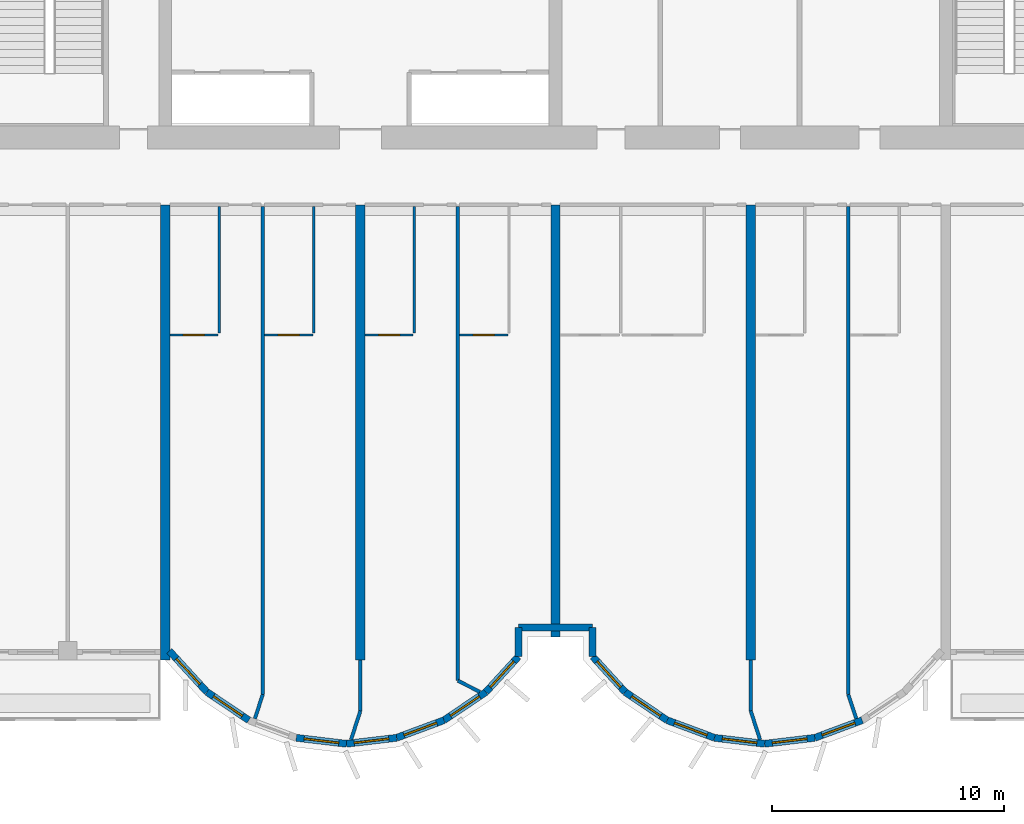
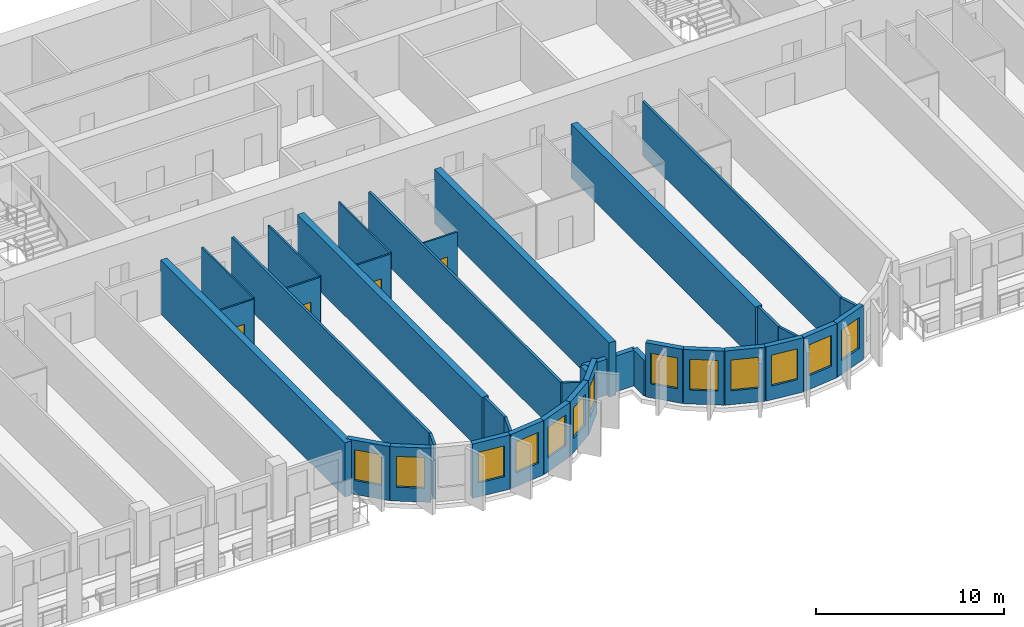
# One storey, part 4 of 15: 37 walls, 13 windows, 4 doors, 17 openings.
"""IFC4 building model written with IfcOpenShell, lengths in metres."""

from ifc_helpers import new_model, si_unit, direction, frame, frame_2d, origin, place, context, subcontext, project, spatial, rectangle, extrude, source, transform, mapped, material, layer, layer_set, type_object, element, fill, save


model = new_model("IFC4")

# Units and contexts
model_context = context("Model", 3, precision=1e-05, world=origin(), true_north=direction((0.0, 1.0)))
body_context = subcontext(model_context, "Body", "Model", "MODEL_VIEW")
ifc_project = project(units=[si_unit("LENGTHUNIT", "METRE"), si_unit("AREAUNIT", "SQUARE_METRE"), si_unit("VOLUMEUNIT", "CUBIC_METRE"), si_unit("PLANEANGLEUNIT", "RADIAN"), si_unit("MASSUNIT", "GRAM", prefix="KILO")], contexts=[model_context])

# Site, building, storey
site_placement = place(None, origin())
site = spatial("IfcSite", under=ifc_project, at=site_placement, CompositionType="ELEMENT")
building_placement = place(site_placement, origin())
building = spatial("IfcBuilding", under=site, at=building_placement, Name="Vanashikhar Sky Hotel", CompositionType="ELEMENT")
storey_placement = place(building_placement, frame((0.0, 0.0, 77.199951171875)))
storey = spatial("IfcBuildingStorey", under=building, at=storey_placement, Name="L18", CompositionType="ELEMENT", Elevation=77.199951171875)

# Walls
ifc_material_1 = material(Name="Concrete M80", Category="concrete")
ifc_layer_1 = layer(ifc_material_1, 0.39990234375)
ifc_layer_set_1 = layer_set([ifc_layer_1], Name="RC shear wall 400 Concrete M80")
wall_type_1 = type_object("IfcWallType", Name="RC shear wall 400 Concrete M80", PredefinedType="SHEAR", material=ifc_layer_set_1)
shared_shape_1 = source(origin(), body_context, "Body", "SweptSolid", [
    extrude(rectangle(XDim=19.60009765625, YDim=0.39990234375, at=frame_2d((9.800048828125, 0.0))), origin(), (0.0, 0.0, 1.0), 3.52001953125),
])
for number, where, z_axis, x_axis, name in (
    (1, (33.60009765625, 0.0, 0.0), (0.0, 0.0, 1.0), (0.0, 1.0, 0.0), "CW-L18-XW05-1"),
    (2, (42.0, 0.0, 0.0), (0.0, 0.0, 1.0), (0.0, 1.0, 0.0), "CW-L18-XW06-1"),
    (3, (58.800048828125, 0.0, 0.0), (0.0, 0.0, 1.0), (0.0, 1.0, 0.0), "CW-L18-XW08-1"),
):
    element("IfcWall", number, at=place(storey_placement, frame(where, z_axis=z_axis, x_axis=x_axis)), inside=storey, type_object=wall_type_1, Name=name, PredefinedType="SHEAR", context=body_context, shape_type="MappedRepresentation", body=[
        mapped(shared_shape_1, transform((0.0, 0.0, 0.0), scale=1.0)),
    ])
shared_shape_2 = source(origin(), body_context, "Body", "SweptSolid", [
    extrude(rectangle(XDim=18.60009765625, YDim=0.39990234375, at=frame_2d((9.300048828125, 0.0))), origin(), (0.0, 0.0, 1.0), 3.52001953125),
])
wall_1_placement = place(storey_placement, frame((50.39990234375, 1.0, 0.0), z_axis=(0.0, 0.0, 1.0), x_axis=(0.0, 1.0, 0.0)))
element("IfcWall", 4, at=wall_1_placement, inside=storey, type_object=wall_type_1, Name="CW-L18-XW07-1", PredefinedType="SHEAR", context=body_context, shape_type="MappedRepresentation", body=[
    mapped(shared_shape_2, transform((0.0, 0.0, 0.0), scale=1.0)),
])

# Wall, opening, window
ifc_material_2 = material(Name="Concrete M50", Category="concrete")
ifc_layer_2 = layer(ifc_material_2, 0.300048828125)
ifc_layer_set_2 = layer_set([ifc_layer_2], Name="Lobe wall 300")
wall_type_2 = type_object("IfcWallType", Name="Lobe wall 300", PredefinedType="SOLIDWALL", material=ifc_layer_set_2)
shared_shape_3 = source(origin(), body_context, "Body", "SweptSolid", [
    extrude(rectangle(XDim=2.398193359375, YDim=0.300048828125, at=frame_2d((1.19921875, 0.0))), origin(), (0.0, 0.0, 1.0), 3.52001953125),
])
wall_2_placement = place(storey_placement, frame((33.776123046875, 0.39990234375, 0.0), z_axis=(0.0, 0.0, 1.0), x_axis=(0.675374189419, -0.737475222815, 0.0)))
wall_2 = element("IfcWall", 5, at=wall_2_placement, inside=storey, type_object=wall_type_2, Name="Lobe wall", PredefinedType="SOLIDWALL", context=body_context, shape_type="MappedRepresentation", body=[
    mapped(shared_shape_3, transform((0.0, 0.0, 0.0), scale=1.0)),
])
shared_shape_4 = source(origin(), body_context, "Body", "SweptSolid", [
    extrude(rectangle(XDim=1.5, YDim=2.0, at=frame_2d((0.75, 1.0))), frame((0.0, 0.16015625, 0.0), z_axis=(0.0, -1.0, 0.0), x_axis=(1.0, 0.0, 0.0)), (0.0, 0.0, 1.0), 0.320068359375),
])
opening_1_placement = place(wall_2_placement, frame((0.44921875, 0.0, 0.89990234375)))
opening_1 = element("IfcOpeningElement", 6, at=opening_1_placement, cuts=wall_2, Name="Opening WN-2", PredefinedType="OPENING", context=body_context, shape_type="MappedRepresentation", body=[
    mapped(shared_shape_4, transform((0.0, 0.0, 0.0), scale=1.0)),
])
ifc_material_3 = material(Name="Glass", Category="glass")
window_type = type_object("IfcWindowType", Name="Lobe window 1500 x 2000", PartitioningType="SINGLE_PANEL", PredefinedType="WINDOW", material=ifc_material_3)
shared_shape_5 = source(origin(), body_context, "Body", "SweptSolid", [
    extrude(rectangle(XDim=1.5, YDim=2.0, at=frame_2d((0.75, 1.0))), frame((0.0, 0.030029296875, 0.0), z_axis=(0.0, -1.0, 0.0), x_axis=(1.0, 0.0, 0.0)), (0.0, 0.0, 1.0), 0.06005859375),
])
window_1_placement = place(opening_1_placement, origin())
window_1 = element("IfcWindow", 7, at=window_1_placement, inside=storey, type_object=window_type, Name="Window WN-2", OverallHeight=2.0, OverallWidth=1.5, PartitioningType="SINGLE_PANEL", PredefinedType="WINDOW", context=body_context, shape_type="MappedRepresentation", body=[
    mapped(shared_shape_5, transform((0.0, 0.0, 0.0), scale=1.0)),
])
fill(opening_1, window_1)

shared_shape_6 = source(origin(), body_context, "Body", "SweptSolid", [
    extrude(rectangle(XDim=2.17578125, YDim=0.300048828125, at=frame_2d((1.087890625, 0.0))), origin(), (0.0, 0.0, 1.0), 3.52001953125),
])
wall_3_placement = place(storey_placement, frame((35.395751953125, -1.36865234375, 0.0), z_axis=(0.0, 0.0, 1.0), x_axis=(0.829590746428, -0.558371913192, 0.0)))
wall_3 = element("IfcWall", 8, at=wall_3_placement, inside=storey, type_object=wall_type_2, Name="Lobe wall", PredefinedType="SOLIDWALL", context=body_context, shape_type="MappedRepresentation", body=[
    mapped(shared_shape_6, transform((0.0, 0.0, 0.0), scale=1.0)),
])
opening_2_placement = place(wall_3_placement, frame((0.337890625, 0.0, 0.89990234375)))
opening_2 = element("IfcOpeningElement", 9, at=opening_2_placement, cuts=wall_3, Name="Opening WN-2", PredefinedType="OPENING", context=body_context, shape_type="MappedRepresentation", body=[
    mapped(shared_shape_4, transform((0.0, 0.0, 0.0), scale=1.0)),
])
window_2_placement = place(opening_2_placement, origin())
window_2 = element("IfcWindow", 10, at=window_2_placement, inside=storey, type_object=window_type, Name="Window WN-2", OverallHeight=2.0, OverallWidth=1.5, PartitioningType="SINGLE_PANEL", PredefinedType="WINDOW", context=body_context, shape_type="MappedRepresentation", body=[
    mapped(shared_shape_5, transform((0.0, 0.0, 0.0), scale=1.0)),
])
fill(opening_2, window_2)

wall_4_placement = place(storey_placement, frame((45.59912109375, -2.58349609375, 0.0), z_axis=(0.0, 0.0, 1.0), x_axis=(0.829625727223, 0.558319937607, 0.0)))
wall_4 = element("IfcWall", 11, at=wall_4_placement, inside=storey, type_object=wall_type_2, Name="Lobe wall", PredefinedType="SOLIDWALL", context=body_context, shape_type="MappedRepresentation", body=[
    mapped(shared_shape_6, transform((0.0, 0.0, 0.0), scale=1.0)),
])
opening_3_placement = place(wall_4_placement, frame((0.337890625, 0.0, 0.89990234375)))
opening_3 = element("IfcOpeningElement", 12, at=opening_3_placement, cuts=wall_4, Name="Opening WN-2", PredefinedType="OPENING", context=body_context, shape_type="MappedRepresentation", body=[
    mapped(shared_shape_4, transform((0.0, 0.0, 0.0), scale=1.0)),
])
window_3_placement = place(opening_3_placement, origin())
window_3 = element("IfcWindow", 13, at=window_3_placement, inside=storey, type_object=window_type, Name="Window WN-2", OverallHeight=2.0, OverallWidth=1.5, PartitioningType="SINGLE_PANEL", PredefinedType="WINDOW", context=body_context, shape_type="MappedRepresentation", body=[
    mapped(shared_shape_5, transform((0.0, 0.0, 0.0), scale=1.0)),
])
fill(opening_3, window_3)

wall_5_placement = place(storey_placement, frame((53.395751953125, -1.36865234375, 0.0), z_axis=(0.0, 0.0, 1.0), x_axis=(0.829590746428, -0.558371913192, 0.0)))
wall_5 = element("IfcWall", 14, at=wall_5_placement, inside=storey, type_object=wall_type_2, Name="Lobe wall", PredefinedType="SOLIDWALL", context=body_context, shape_type="MappedRepresentation", body=[
    mapped(shared_shape_6, transform((0.0, 0.0, 0.0), scale=1.0)),
])
opening_4_placement = place(wall_5_placement, frame((0.337890625, 0.0, 0.89990234375)))
opening_4 = element("IfcOpeningElement", 15, at=opening_4_placement, cuts=wall_5, Name="Opening WN-2", PredefinedType="OPENING", context=body_context, shape_type="MappedRepresentation", body=[
    mapped(shared_shape_4, transform((0.0, 0.0, 0.0), scale=1.0)),
])
window_4_placement = place(opening_4_placement, origin())
window_4 = element("IfcWindow", 16, at=window_4_placement, inside=storey, type_object=window_type, Name="Window WN-2", OverallHeight=2.0, OverallWidth=1.5, PartitioningType="SINGLE_PANEL", PredefinedType="WINDOW", context=body_context, shape_type="MappedRepresentation", body=[
    mapped(shared_shape_5, transform((0.0, 0.0, 0.0), scale=1.0)),
])
fill(opening_4, window_4)

wall_6_placement = place(storey_placement, frame((55.20068359375, -2.58349609375, 0.0), z_axis=(0.0, 0.0, 1.0), x_axis=(0.93754555999, -0.347862505801, 0.0)))
wall_6 = element("IfcWall", 17, at=wall_6_placement, inside=storey, type_object=wall_type_2, Name="Lobe wall", PredefinedType="SOLIDWALL", context=body_context, shape_type="MappedRepresentation", body=[
    mapped(shared_shape_6, transform((0.0, 0.0, 0.0), scale=1.0)),
])
opening_5_placement = place(wall_6_placement, frame((0.337890625, 0.0, 0.89990234375)))
opening_5 = element("IfcOpeningElement", 18, at=opening_5_placement, cuts=wall_6, Name="Opening WN-2", PredefinedType="OPENING", context=body_context, shape_type="MappedRepresentation", body=[
    mapped(shared_shape_4, transform((0.0, 0.0, 0.0), scale=1.0)),
])
window_5_placement = place(opening_5_placement, origin())
window_5 = element("IfcWindow", 19, at=window_5_placement, inside=storey, type_object=window_type, Name="Window WN-2", OverallHeight=2.0, OverallWidth=1.5, PartitioningType="SINGLE_PANEL", PredefinedType="WINDOW", context=body_context, shape_type="MappedRepresentation", body=[
    mapped(shared_shape_5, transform((0.0, 0.0, 0.0), scale=1.0)),
])
fill(opening_5, window_5)

shared_shape_7 = source(origin(), body_context, "Body", "SweptSolid", [
    extrude(rectangle(XDim=2.174560546875, YDim=0.300048828125, at=frame_2d((1.08740234375, 0.0))), origin(), (0.0, 0.0, 1.0), 3.52001953125),
])
wall_7_placement = place(storey_placement, frame((39.240478515625, -3.34033203125, 0.0), z_axis=(0.0, 0.0, 1.0), x_axis=(0.993001132889, -0.118104826659, 0.0)))
wall_7 = element("IfcWall", 20, at=wall_7_placement, inside=storey, type_object=wall_type_2, Name="Lobe wall", PredefinedType="SOLIDWALL", context=body_context, shape_type="MappedRepresentation", body=[
    mapped(shared_shape_7, transform((0.0, 0.0, 0.0), scale=1.0)),
])
opening_6_placement = place(wall_7_placement, frame((0.33740234375, 0.0, 0.89990234375)))
opening_6 = element("IfcOpeningElement", 21, at=opening_6_placement, cuts=wall_7, Name="Opening WN-2", PredefinedType="OPENING", context=body_context, shape_type="MappedRepresentation", body=[
    mapped(shared_shape_4, transform((0.0, 0.0, 0.0), scale=1.0)),
])
window_6_placement = place(opening_6_placement, origin())
window_6 = element("IfcWindow", 22, at=window_6_placement, inside=storey, type_object=window_type, Name="Window WN-2", OverallHeight=2.0, OverallWidth=1.5, PartitioningType="SINGLE_PANEL", PredefinedType="WINDOW", context=body_context, shape_type="MappedRepresentation", body=[
    mapped(shared_shape_5, transform((0.0, 0.0, 0.0), scale=1.0)),
])
fill(opening_6, window_6)

wall_8_placement = place(storey_placement, frame((57.240478515625, -3.34033203125, 0.0), z_axis=(0.0, 0.0, 1.0), x_axis=(0.993001132889, -0.118104826659, 0.0)))
wall_8 = element("IfcWall", 23, at=wall_8_placement, inside=storey, type_object=wall_type_2, Name="Lobe wall", PredefinedType="SOLIDWALL", context=body_context, shape_type="MappedRepresentation", body=[
    mapped(shared_shape_7, transform((0.0, 0.0, 0.0), scale=1.0)),
])
opening_7_placement = place(wall_8_placement, frame((0.33740234375, 0.0, 0.89990234375)))
opening_7 = element("IfcOpeningElement", 24, at=opening_7_placement, cuts=wall_8, Name="Opening WN-2", PredefinedType="OPENING", context=body_context, shape_type="MappedRepresentation", body=[
    mapped(shared_shape_4, transform((0.0, 0.0, 0.0), scale=1.0)),
])
window_7_placement = place(opening_7_placement, origin())
window_7 = element("IfcWindow", 25, at=window_7_placement, inside=storey, type_object=window_type, Name="Window WN-2", OverallHeight=2.0, OverallWidth=1.5, PartitioningType="SINGLE_PANEL", PredefinedType="WINDOW", context=body_context, shape_type="MappedRepresentation", body=[
    mapped(shared_shape_5, transform((0.0, 0.0, 0.0), scale=1.0)),
])
fill(opening_7, window_7)

shared_shape_8 = source(origin(), body_context, "Body", "SweptSolid", [
    extrude(rectangle(XDim=2.1748046875, YDim=0.300048828125, at=frame_2d((1.08740234375, 0.0))), origin(), (0.0, 0.0, 1.0), 3.52001953125),
])
wall_9_placement = place(storey_placement, frame((41.39990234375, -3.59716796875, 0.0), z_axis=(0.0, 0.0, 1.0), x_axis=(0.993002698611, 0.118091661648, 0.0)))
wall_9 = element("IfcWall", 26, at=wall_9_placement, inside=storey, type_object=wall_type_2, Name="Lobe wall", PredefinedType="SOLIDWALL", context=body_context, shape_type="MappedRepresentation", body=[
    mapped(shared_shape_8, transform((0.0, 0.0, 0.0), scale=1.0)),
])
opening_8_placement = place(wall_9_placement, frame((0.33740234375, 0.0, 0.89990234375)))
opening_8 = element("IfcOpeningElement", 27, at=opening_8_placement, cuts=wall_9, Name="Opening WN-2", PredefinedType="OPENING", context=body_context, shape_type="MappedRepresentation", body=[
    mapped(shared_shape_4, transform((0.0, 0.0, 0.0), scale=1.0)),
])
window_8_placement = place(opening_8_placement, origin())
window_8 = element("IfcWindow", 28, at=window_8_placement, inside=storey, type_object=window_type, Name="Window WN-2", OverallHeight=2.0, OverallWidth=1.5, PartitioningType="SINGLE_PANEL", PredefinedType="WINDOW", context=body_context, shape_type="MappedRepresentation", body=[
    mapped(shared_shape_5, transform((0.0, 0.0, 0.0), scale=1.0)),
])
fill(opening_8, window_8)

wall_10_placement = place(storey_placement, frame((59.39990234375, -3.59716796875, 0.0), z_axis=(0.0, 0.0, 1.0), x_axis=(0.993002698611, 0.118091661648, 0.0)))
wall_10 = element("IfcWall", 29, at=wall_10_placement, inside=storey, type_object=wall_type_2, Name="Lobe wall", PredefinedType="SOLIDWALL", context=body_context, shape_type="MappedRepresentation", body=[
    mapped(shared_shape_8, transform((0.0, 0.0, 0.0), scale=1.0)),
])
opening_9_placement = place(wall_10_placement, frame((0.33740234375, 0.0, 0.89990234375)))
opening_9 = element("IfcOpeningElement", 30, at=opening_9_placement, cuts=wall_10, Name="Opening WN-2", PredefinedType="OPENING", context=body_context, shape_type="MappedRepresentation", body=[
    mapped(shared_shape_4, transform((0.0, 0.0, 0.0), scale=1.0)),
])
window_9_placement = place(opening_9_placement, origin())
window_9 = element("IfcWindow", 31, at=window_9_placement, inside=storey, type_object=window_type, Name="Window WN-2", OverallHeight=2.0, OverallWidth=1.5, PartitioningType="SINGLE_PANEL", PredefinedType="WINDOW", context=body_context, shape_type="MappedRepresentation", body=[
    mapped(shared_shape_5, transform((0.0, 0.0, 0.0), scale=1.0)),
])
fill(opening_9, window_9)

shared_shape_9 = source(origin(), body_context, "Body", "SweptSolid", [
    extrude(rectangle(XDim=2.175537109375, YDim=0.300048828125, at=frame_2d((1.087890625, 0.0))), origin(), (0.0, 0.0, 1.0), 3.52001953125),
])
wall_11_placement = place(storey_placement, frame((43.5595703125, -3.34033203125, 0.0), z_axis=(0.0, 0.0, 1.0), x_axis=(0.937531979054, 0.347899106424, 0.0)))
wall_11 = element("IfcWall", 32, at=wall_11_placement, inside=storey, type_object=wall_type_2, Name="Lobe wall", PredefinedType="SOLIDWALL", context=body_context, shape_type="MappedRepresentation", body=[
    mapped(shared_shape_9, transform((0.0, 0.0, 0.0), scale=1.0)),
])
opening_10_placement = place(wall_11_placement, frame((0.337890625, 0.0, 0.89990234375)))
opening_10 = element("IfcOpeningElement", 33, at=opening_10_placement, cuts=wall_11, Name="Opening WN-2", PredefinedType="OPENING", context=body_context, shape_type="MappedRepresentation", body=[
    mapped(shared_shape_4, transform((0.0, 0.0, 0.0), scale=1.0)),
])
window_10_placement = place(opening_10_placement, origin())
window_10 = element("IfcWindow", 34, at=window_10_placement, inside=storey, type_object=window_type, Name="Window WN-2", OverallHeight=2.0, OverallWidth=1.5, PartitioningType="SINGLE_PANEL", PredefinedType="WINDOW", context=body_context, shape_type="MappedRepresentation", body=[
    mapped(shared_shape_5, transform((0.0, 0.0, 0.0), scale=1.0)),
])
fill(opening_10, window_10)

wall_12_placement = place(storey_placement, frame((61.5595703125, -3.34033203125, 0.0), z_axis=(0.0, 0.0, 1.0), x_axis=(0.937531979054, 0.347899106424, 0.0)))
wall_12 = element("IfcWall", 35, at=wall_12_placement, inside=storey, type_object=wall_type_2, Name="Lobe wall", PredefinedType="SOLIDWALL", context=body_context, shape_type="MappedRepresentation", body=[
    mapped(shared_shape_9, transform((0.0, 0.0, 0.0), scale=1.0)),
])
opening_11_placement = place(wall_12_placement, frame((0.337890625, 0.0, 0.89990234375)))
opening_11 = element("IfcOpeningElement", 36, at=opening_11_placement, cuts=wall_12, Name="Opening WN-2", PredefinedType="OPENING", context=body_context, shape_type="MappedRepresentation", body=[
    mapped(shared_shape_4, transform((0.0, 0.0, 0.0), scale=1.0)),
])
window_11_placement = place(opening_11_placement, origin())
window_11 = element("IfcWindow", 37, at=window_11_placement, inside=storey, type_object=window_type, Name="Window WN-2", OverallHeight=2.0, OverallWidth=1.5, PartitioningType="SINGLE_PANEL", PredefinedType="WINDOW", context=body_context, shape_type="MappedRepresentation", body=[
    mapped(shared_shape_5, transform((0.0, 0.0, 0.0), scale=1.0)),
])
fill(opening_11, window_11)

shared_shape_10 = source(origin(), body_context, "Body", "SweptSolid", [
    extrude(rectangle(XDim=2.066650390625, YDim=0.300048828125, at=frame_2d((1.033203125, 0.0))), origin(), (0.0, 0.0, 1.0), 3.52001953125),
])
wall_13_placement = place(storey_placement, frame((47.404296875, -1.36865234375, 0.0), z_axis=(0.0, 0.0, 1.0), x_axis=(0.675355439877, 0.737492393065, 0.0)))
wall_13 = element("IfcWall", 38, at=wall_13_placement, inside=storey, type_object=wall_type_2, Name="Lobe wall", PredefinedType="SOLIDWALL", context=body_context, shape_type="MappedRepresentation", body=[
    mapped(shared_shape_10, transform((0.0, 0.0, 0.0), scale=1.0)),
])
opening_12_placement = place(wall_13_placement, frame((0.283447265625, 0.0, 0.89990234375)))
opening_12 = element("IfcOpeningElement", 39, at=opening_12_placement, cuts=wall_13, Name="Opening WN-2", PredefinedType="OPENING", context=body_context, shape_type="MappedRepresentation", body=[
    mapped(shared_shape_4, transform((0.0, 0.0, 0.0), scale=1.0)),
])
window_12_placement = place(opening_12_placement, origin())
window_12 = element("IfcWindow", 40, at=window_12_placement, inside=storey, type_object=window_type, Name="Window WN-2", OverallHeight=2.0, OverallWidth=1.5, PartitioningType="SINGLE_PANEL", PredefinedType="WINDOW", context=body_context, shape_type="MappedRepresentation", body=[
    mapped(shared_shape_5, transform((0.0, 0.0, 0.0), scale=1.0)),
])
fill(opening_12, window_12)

wall_14_placement = place(storey_placement, frame((52.0, 0.155517578125, 0.0), z_axis=(0.0, 0.0, 1.0), x_axis=(0.675355439877, -0.737492393065, 0.0)))
wall_14 = element("IfcWall", 41, at=wall_14_placement, inside=storey, type_object=wall_type_2, Name="Lobe wall", PredefinedType="SOLIDWALL", context=body_context, shape_type="MappedRepresentation", body=[
    mapped(shared_shape_10, transform((0.0, 0.0, 0.0), scale=1.0)),
])
opening_13_placement = place(wall_14_placement, frame((0.283447265625, 0.0, 0.89990234375)))
opening_13 = element("IfcOpeningElement", 42, at=opening_13_placement, cuts=wall_14, Name="Opening WN-2", PredefinedType="OPENING", context=body_context, shape_type="MappedRepresentation", body=[
    mapped(shared_shape_4, transform((0.0, 0.0, 0.0), scale=1.0)),
])
window_13_placement = place(opening_13_placement, origin())
window_13 = element("IfcWindow", 43, at=window_13_placement, inside=storey, type_object=window_type, Name="Window WN-2", OverallHeight=2.0, OverallWidth=1.5, PartitioningType="SINGLE_PANEL", PredefinedType="WINDOW", context=body_context, shape_type="MappedRepresentation", body=[
    mapped(shared_shape_5, transform((0.0, 0.0, 0.0), scale=1.0)),
])
fill(opening_13, window_13)

# Walls
shared_shape_11 = source(origin(), body_context, "Body", "SweptSolid", [
    extrude(rectangle(XDim=1.244384765625, YDim=0.300048828125, at=frame_2d((0.6220703125, 0.0))), origin(), (0.0, 0.0, 1.0), 2.320068359375),
])
for number, where, z_axis, x_axis, name in (
    (44, (48.800048828125, 0.155517578125, 0.0), (0.0, 0.0, 1.0), (0.0, 1.0, 0.0), "Groove wall"),
    (45, (52.0, 1.39990234375, 0.0), (0.0, 0.0, 1.0), (0.0, -1.0, 0.0), "Groove wall"),
):
    element("IfcWall", number, at=place(storey_placement, frame(where, z_axis=z_axis, x_axis=x_axis)), inside=storey, type_object=wall_type_2, Name=name, PredefinedType="SOLIDWALL", context=body_context, shape_type="MappedRepresentation", body=[
        mapped(shared_shape_11, transform((0.0, 0.0, 0.0), scale=1.0)),
    ])
shared_shape_12 = source(origin(), body_context, "Body", "SweptSolid", [
    extrude(rectangle(XDim=3.199951171875, YDim=0.300048828125, at=frame_2d((1.60009765625, 0.0))), origin(), (0.0, 0.0, 1.0), 2.320068359375),
])
wall_15_placement = place(storey_placement, frame((48.800048828125, 1.39990234375, 0.0), z_axis=(0.0, 0.0, 1.0), x_axis=(1.0, 0.0, 0.0)))
element("IfcWall", 46, at=wall_15_placement, inside=storey, type_object=wall_type_2, Name="Groove wall", PredefinedType="SOLIDWALL", context=body_context, shape_type="MappedRepresentation", body=[
    mapped(shared_shape_12, transform((0.0, 0.0, 0.0), scale=1.0)),
])
ifc_material_4 = material(Name="Gypsum plasterboard partition")
ifc_layer_3 = layer(ifc_material_4, 0.14990234375)
ifc_layer_set_3 = layer_set([ifc_layer_3], Name="Corridor and demising partition 150")
wall_type_3 = type_object("IfcWallType", Name="Corridor and demising partition 150", PredefinedType="PARTITIONING", material=ifc_layer_set_3)
shared_shape_13 = source(origin(), body_context, "Body", "SweptSolid", [
    extrude(rectangle(XDim=20.997802734375, YDim=0.14990234375, at=frame_2d((10.4990234375, 0.0))), origin(), (0.0, 0.0, 1.0), 3.52001953125),
])
for number, where, z_axis, x_axis, name in (
    (47, (37.800048828125, -1.472900390625, 0.0), (0.0, 0.0, 1.0), (0.0, 1.0, 0.0), "W-L18-PW029"),
    (48, (63.0, -1.472900390625, 0.0), (0.0, 0.0, 1.0), (0.0, 1.0, 0.0), "W-L18-PW048"),
):
    element("IfcWall", number, at=place(storey_placement, frame(where, z_axis=z_axis, x_axis=x_axis)), inside=storey, type_object=wall_type_3, Name=name, PredefinedType="PARTITIONING", context=body_context, shape_type="MappedRepresentation", body=[
        mapped(shared_shape_13, transform((0.0, 0.0, 0.0), scale=1.0)),
    ])
shared_shape_14 = source(origin(), body_context, "Body", "SweptSolid", [
    extrude(rectangle(XDim=20.406005859375, YDim=0.14990234375, at=frame_2d((10.203125, 0.0))), origin(), (0.0, 0.0, 1.0), 3.52001953125),
])
wall_16_placement = place(storey_placement, frame((46.199951171875, -0.881103515625, 0.0), z_axis=(0.0, 0.0, 1.0), x_axis=(0.0, 1.0, 0.0)))
element("IfcWall", 49, at=wall_16_placement, inside=storey, type_object=wall_type_3, Name="W-L18-PW036", PredefinedType="PARTITIONING", context=body_context, shape_type="MappedRepresentation", body=[
    mapped(shared_shape_14, transform((0.0, 0.0, 0.0), scale=1.0)),
])
shared_shape_15 = source(origin(), body_context, "Body", "SweptSolid", [
    extrude(rectangle(XDim=2.177978515625, YDim=0.14990234375, at=frame_2d((1.0888671875, 0.0))), origin(), (0.0, 0.0, 1.0), 3.52001953125),
])
for number, where, z_axis, x_axis, name in (
    (50, (42.0, -2.177978515625, 0.0), (0.0, 0.0, 1.0), (0.0, 1.0, 0.0), "W-L18-PW069"),
    (51, (58.800048828125, -2.177978515625, 0.0), (0.0, 0.0, 1.0), (0.0, 1.0, 0.0), "W-L18-PW070"),
):
    element("IfcWall", number, at=place(storey_placement, frame(where, z_axis=z_axis, x_axis=x_axis)), inside=storey, type_object=wall_type_3, Name=name, PredefinedType="PARTITIONING", context=body_context, shape_type="MappedRepresentation", body=[
        mapped(shared_shape_15, transform((0.0, 0.0, 0.0), scale=1.0)),
    ])
shared_shape_16 = source(origin(), body_context, "Body", "SweptSolid", [
    extrude(rectangle(XDim=1.100830078125, YDim=0.14990234375, at=frame_2d((0.55029296875, 0.0))), origin(), (0.0, 0.0, 1.0), 3.52001953125),
])
for number, where, z_axis, x_axis, name in (
    (52, (37.45703125, -2.51904296875, 0.0), (0.0, 0.0, 1.0), (0.311567081539, 0.950224159712, 0.0), "W-L18-PW029B0"),
    (53, (63.343017578125, -2.51904296875, 0.0), (0.0, 0.0, 1.0), (-0.311567081539, 0.950224159712, 0.0), "W-L18-PW048B0"),
):
    element("IfcWall", number, at=place(storey_placement, frame(where, z_axis=z_axis, x_axis=x_axis)), inside=storey, type_object=wall_type_3, Name=name, PredefinedType="PARTITIONING", context=body_context, shape_type="MappedRepresentation", body=[
        mapped(shared_shape_16, transform((0.0, 0.0, 0.0), scale=1.0)),
    ])
shared_shape_17 = source(origin(), body_context, "Body", "SweptSolid", [
    extrude(rectangle(XDim=1.0576171875, YDim=0.14990234375, at=frame_2d((0.52880859375, 0.0))), origin(), (0.0, 0.0, 1.0), 3.52001953125),
])
wall_17_placement = place(storey_placement, frame((47.139892578125, -1.365966796875, 0.0), z_axis=(0.0, 0.0, 1.0), x_axis=(-0.888723819054, 0.458442988218, 0.0)))
element("IfcWall", 54, at=wall_17_placement, inside=storey, type_object=wall_type_3, Name="W-L18-PW036B0", PredefinedType="PARTITIONING", context=body_context, shape_type="MappedRepresentation", body=[
    mapped(shared_shape_17, transform((0.0, 0.0, 0.0), scale=1.0)),
])
shared_shape_18 = source(origin(), body_context, "Body", "SweptSolid", [
    extrude(rectangle(XDim=1.308349609375, YDim=0.14990234375, at=frame_2d((0.654296875, 0.0))), origin(), (0.0, 0.0, 1.0), 3.52001953125),
])
for number, where, z_axis, x_axis, name in (
    (55, (41.597900390625, -3.423095703125, 0.0), (0.0, 0.0, 1.0), (0.307313512187, 0.951608325535, 0.0), "W-L18-PW069B0"),
    (56, (59.201904296875, -3.423095703125, 0.0), (0.0, 0.0, 1.0), (-0.307144529633, 0.951662880392, 0.0), "W-L18-PW070B0"),
):
    element("IfcWall", number, at=place(storey_placement, frame(where, z_axis=z_axis, x_axis=x_axis)), inside=storey, type_object=wall_type_3, Name=name, PredefinedType="PARTITIONING", context=body_context, shape_type="MappedRepresentation", body=[
        mapped(shared_shape_18, transform((0.0, 0.0, 0.0), scale=1.0)),
    ])

# Wall, opening, door
ifc_layer_4 = layer(ifc_material_4, 0.10009765625)
ifc_layer_set_4 = layer_set([ifc_layer_4], Name="Wet room partition 100")
wall_type_4 = type_object("IfcWallType", Name="Wet room partition 100", PredefinedType="PARTITIONING", material=ifc_layer_set_4)
shared_shape_19 = source(origin(), body_context, "Body", "SweptSolid", [
    extrude(rectangle(XDim=2.074951171875, YDim=0.10009765625, at=frame_2d((1.03759765625, 0.0))), origin(), (0.0, 0.0, 1.0), 3.52001953125),
])
wall_18_placement = place(storey_placement, frame((33.800048828125, 14.0, 0.0), z_axis=(0.0, 0.0, 1.0), x_axis=(1.0, 0.0, 0.0)))
wall_18 = element("IfcWall", 57, at=wall_18_placement, inside=storey, type_object=wall_type_4, Name="W-L18-PW024", PredefinedType="PARTITIONING", context=body_context, shape_type="MappedRepresentation", body=[
    mapped(shared_shape_19, transform((0.0, 0.0, 0.0), scale=1.0)),
])
shared_shape_20 = source(origin(), body_context, "Body", "SweptSolid", [
    extrude(rectangle(XDim=0.89990234375, YDim=2.10009765625, at=frame_2d((0.449951171875, 1.050048828125))), frame((0.0, 0.06005859375, 0.0), z_axis=(0.0, -1.0, 0.0), x_axis=(1.0, 0.0, 0.0)), (0.0, 0.0, 1.0), 0.1201171875),
])
opening_14_placement = place(wall_18_placement, frame((0.5869140625, 0.0, 0.0)))
opening_14 = element("IfcOpeningElement", 58, at=opening_14_placement, cuts=wall_18, Name="Opening D-02", PredefinedType="OPENING", context=body_context, shape_type="MappedRepresentation", body=[
    mapped(shared_shape_20, transform((0.0, 0.0, 0.0), scale=1.0)),
])
ifc_material_5 = material(Name="Timber door", Category="wood")
door_type = type_object("IfcDoorType", Name="Internal door 900", OperationType="NOTDEFINED", PredefinedType="DOOR", material=ifc_material_5)
shared_shape_21 = source(origin(), body_context, "Body", "SweptSolid", [
    extrude(rectangle(XDim=0.89990234375, YDim=2.10009765625, at=frame_2d((0.449951171875, 1.050048828125))), frame((0.0, 0.02490234375, 0.0), z_axis=(0.0, -1.0, 0.0), x_axis=(1.0, 0.0, 0.0)), (0.0, 0.0, 1.0), 0.050048828125),
])
door_1_placement = place(opening_14_placement, origin())
door_1 = element("IfcDoor", 59, at=door_1_placement, inside=storey, type_object=door_type, Name="D-L18-014", OperationType="SINGLE_SWING_RIGHT", OverallHeight=2.10009765625, OverallWidth=0.89990234375, PredefinedType="DOOR", context=body_context, shape_type="MappedRepresentation", body=[
    mapped(shared_shape_21, transform((0.0, 0.0, 0.0), scale=1.0)),
])
fill(opening_14, door_1)

wall_19_placement = place(storey_placement, frame((37.875, 14.0, 0.0), z_axis=(0.0, 0.0, 1.0), x_axis=(1.0, 0.0, 0.0)))
wall_19 = element("IfcWall", 60, at=wall_19_placement, inside=storey, type_object=wall_type_4, Name="W-L18-PW027", PredefinedType="PARTITIONING", context=body_context, shape_type="MappedRepresentation", body=[
    mapped(shared_shape_19, transform((0.0, 0.0, 0.0), scale=1.0)),
])
opening_15_placement = place(wall_19_placement, frame((0.5869140625, 0.0, 0.0)))
opening_15 = element("IfcOpeningElement", 61, at=opening_15_placement, cuts=wall_19, Name="Opening D-02", PredefinedType="OPENING", context=body_context, shape_type="MappedRepresentation", body=[
    mapped(shared_shape_20, transform((0.0, 0.0, 0.0), scale=1.0)),
])
door_2_placement = place(opening_15_placement, origin())
door_2 = element("IfcDoor", 62, at=door_2_placement, inside=storey, type_object=door_type, Name="D-L18-016", OperationType="SINGLE_SWING_RIGHT", OverallHeight=2.10009765625, OverallWidth=0.89990234375, PredefinedType="DOOR", context=body_context, shape_type="MappedRepresentation", body=[
    mapped(shared_shape_21, transform((0.0, 0.0, 0.0), scale=1.0)),
])
fill(opening_15, door_2)

wall_20_placement = place(storey_placement, frame((42.199951171875, 14.0, 0.0), z_axis=(0.0, 0.0, 1.0), x_axis=(1.0, 0.0, 0.0)))
wall_20 = element("IfcWall", 63, at=wall_20_placement, inside=storey, type_object=wall_type_4, Name="W-L18-PW031", PredefinedType="PARTITIONING", context=body_context, shape_type="MappedRepresentation", body=[
    mapped(shared_shape_19, transform((0.0, 0.0, 0.0), scale=1.0)),
])
opening_16_placement = place(wall_20_placement, frame((0.5869140625, 0.0, 0.0)))
opening_16 = element("IfcOpeningElement", 64, at=opening_16_placement, cuts=wall_20, Name="Opening D-02", PredefinedType="OPENING", context=body_context, shape_type="MappedRepresentation", body=[
    mapped(shared_shape_20, transform((0.0, 0.0, 0.0), scale=1.0)),
])
door_3_placement = place(opening_16_placement, origin())
door_3 = element("IfcDoor", 65, at=door_3_placement, inside=storey, type_object=door_type, Name="D-L18-018", OperationType="SINGLE_SWING_RIGHT", OverallHeight=2.10009765625, OverallWidth=0.89990234375, PredefinedType="DOOR", context=body_context, shape_type="MappedRepresentation", body=[
    mapped(shared_shape_21, transform((0.0, 0.0, 0.0), scale=1.0)),
])
fill(opening_16, door_3)

# Walls
shared_shape_22 = source(origin(), body_context, "Body", "SweptSolid", [
    extrude(rectangle(XDim=5.449951171875, YDim=0.10009765625, at=frame_2d((2.72509765625, 0.0))), origin(), (0.0, 0.0, 1.0), 3.52001953125),
])
for number, where, z_axis, x_axis, name in (
    (66, (35.925048828125, 14.074951171875, 0.0), (0.0, 0.0, 1.0), (0.0, 1.0, 0.0), "W-L18-PW023"),
    (67, (40.0, 14.074951171875, 0.0), (0.0, 0.0, 1.0), (0.0, 1.0, 0.0), "W-L18-PW026"),
    (68, (44.324951171875, 14.074951171875, 0.0), (0.0, 0.0, 1.0), (0.0, 1.0, 0.0), "W-L18-PW030"),
):
    element("IfcWall", number, at=place(storey_placement, frame(where, z_axis=z_axis, x_axis=x_axis)), inside=storey, type_object=wall_type_4, Name=name, PredefinedType="PARTITIONING", context=body_context, shape_type="MappedRepresentation", body=[
        mapped(shared_shape_22, transform((0.0, 0.0, 0.0), scale=1.0)),
    ])

# Wall, opening, door
shared_shape_23 = source(origin(), body_context, "Body", "SweptSolid", [
    extrude(rectangle(XDim=2.0751953125, YDim=0.10009765625, at=frame_2d((1.03759765625, 0.0))), origin(), (0.0, 0.0, 1.0), 3.52001953125),
])
wall_21_placement = place(storey_placement, frame((46.27490234375, 14.0, 0.0), z_axis=(0.0, 0.0, 1.0), x_axis=(1.0, 0.0, 0.0)))
wall_21 = element("IfcWall", 69, at=wall_21_placement, inside=storey, type_object=wall_type_4, Name="W-L18-PW034", PredefinedType="PARTITIONING", context=body_context, shape_type="MappedRepresentation", body=[
    mapped(shared_shape_23, transform((0.0, 0.0, 0.0), scale=1.0)),
])
opening_17_placement = place(wall_21_placement, frame((0.587890625, 0.0, 0.0)))
opening_17 = element("IfcOpeningElement", 70, at=opening_17_placement, cuts=wall_21, Name="Opening D-02", PredefinedType="OPENING", context=body_context, shape_type="MappedRepresentation", body=[
    mapped(shared_shape_20, transform((0.0, 0.0, 0.0), scale=1.0)),
])
door_4_placement = place(opening_17_placement, origin())
door_4 = element("IfcDoor", 71, at=door_4_placement, inside=storey, type_object=door_type, Name="D-L18-020", OperationType="SINGLE_SWING_RIGHT", OverallHeight=2.10009765625, OverallWidth=0.89990234375, PredefinedType="DOOR", context=body_context, shape_type="MappedRepresentation", body=[
    mapped(shared_shape_21, transform((0.0, 0.0, 0.0), scale=1.0)),
])
fill(opening_17, door_4)

save(model, "model.ifc")
